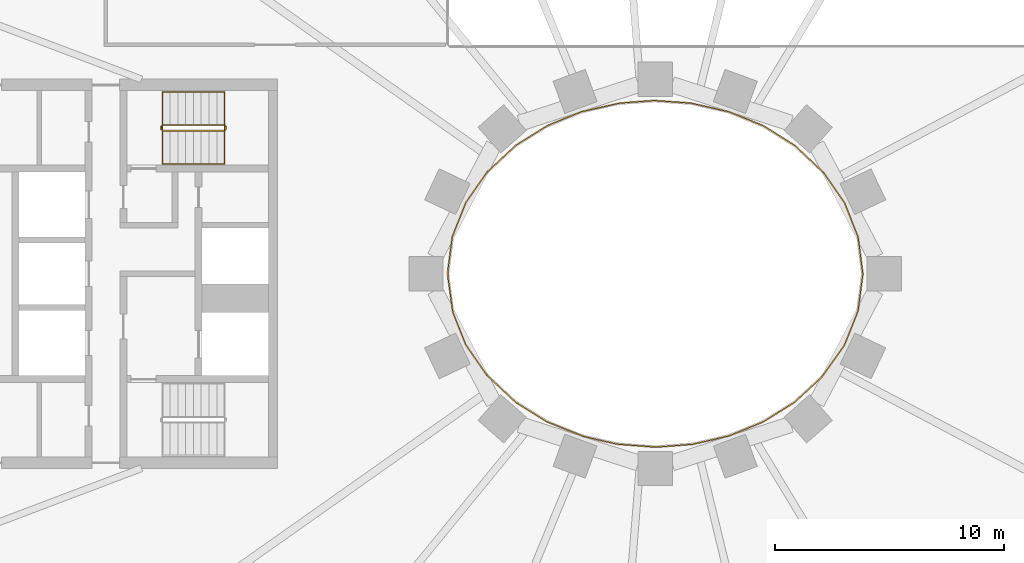
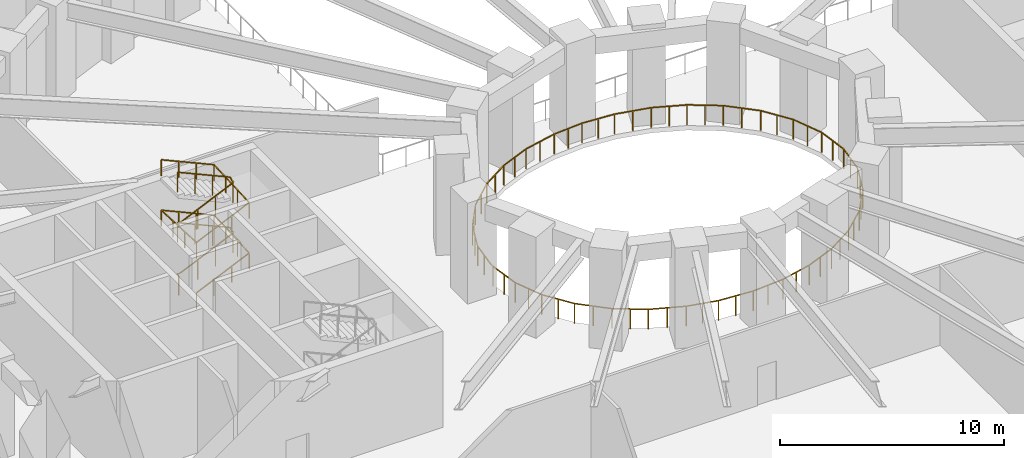
# One storey, part 60 of 69: 3 railings.
"""IFC4 building model written with IfcOpenShell, lengths in metres."""

from ifc_helpers import new_model, si_unit, direction, frame, origin, origin_2d, place, context, subcontext, project, spatial, rectangle, extrude, material, type_object, element, save


model = new_model("IFC4")

# Units and contexts
model_context = context("Model", 3, precision=1e-05, world=origin(), true_north=direction((0.0, 1.0)))
body_context = subcontext(model_context, "Body", "Model", "MODEL_VIEW")
ifc_project = project(units=[si_unit("LENGTHUNIT", "METRE"), si_unit("AREAUNIT", "SQUARE_METRE"), si_unit("VOLUMEUNIT", "CUBIC_METRE"), si_unit("PLANEANGLEUNIT", "RADIAN"), si_unit("MASSUNIT", "GRAM", prefix="KILO")], contexts=[model_context])

# Site, building, storey
site_placement = place(None, origin())
site = spatial("IfcSite", under=ifc_project, at=site_placement, CompositionType="ELEMENT")
building_placement = place(site_placement, origin())
building = spatial("IfcBuilding", under=site, at=building_placement, Name="Noorbagh Ring Tower", CompositionType="ELEMENT")
storey_placement = place(building_placement, frame((0.0, 0.0, 19.5)))
storey = spatial("IfcBuildingStorey", under=building, at=storey_placement, Name="L03", CompositionType="ELEMENT", Elevation=19.5)

# Railings
ifc_material_1 = material(Name="Stainless steel", Category="steel")
railing_type_1 = type_object("IfcRailingType", Name="CORE-STAIR-GUARD", PredefinedType="GUARDRAIL", material=ifc_material_1)
railing_1_placement = place(storey_placement, frame((-21.580078125, 6.300048828125, 0.0)))
element("IfcRailing", 1, at=railing_1_placement, inside=storey, type_object=railing_type_1, Name="L03 ST1 stair guard", PredefinedType="GUARDRAIL", context=body_context, shape_type="SweptSolid", body=[
    extrude(rectangle(XDim=0.048095703125, YDim=0.048095703125, at=origin_2d()), frame((0.0, 0.0, 1.076171875), z_axis=(0.0, 1.0, 0.0), x_axis=(-1.0, 0.0, 0.0)), (0.0, 0.0, 1.0), 0.14990234375),
    extrude(rectangle(XDim=0.048095703125, YDim=0.048095703125, at=origin_2d()), frame((0.0, 0.14990234375, 1.076171875), z_axis=(0.195046945594, -0.779236333862, 0.595606770449), x_axis=(0.970072785993, 0.242814311512, 0.0)), (0.0, 0.0, 1.0), 0.256591796875),
    extrude(rectangle(XDim=0.048095703125, YDim=0.048095703125, at=origin_2d()), frame((0.050048828125, -0.050048828125, 1.22900390625), z_axis=(0.912149621895, 0.0, 0.409857374312), x_axis=(0.0, 1.0, 0.0)), (0.0, 0.0, 1.0), 2.98193359375),
    extrude(rectangle(XDim=0.048095703125, YDim=0.048095703125, at=origin_2d()), frame((2.77001953125, -0.050048828125, 2.451171875), z_axis=(0.707106781187, 0.707106781187, 0.0), x_axis=(-0.707106781187, 0.707106781187, 0.0)), (0.0, 0.0, 1.0), 0.07080078125),
    extrude(rectangle(XDim=0.048095703125, YDim=0.048095703125, at=origin_2d()), frame((2.820068359375, 0.0, 2.451171875), z_axis=(0.0, 1.0, 0.0), x_axis=(-1.0, 0.0, 0.0)), (0.0, 0.0, 1.0), 0.14990234375),
    extrude(rectangle(XDim=0.048095703125, YDim=0.048095703125, at=origin_2d()), frame((2.820068359375, 0.14990234375, 2.451171875), z_axis=(-0.297155754911, 0.297155754911, 0.90741220768), x_axis=(-0.707106781187, -0.707106781187, 0.0)), (0.0, 0.0, 1.0), 0.16845703125),
    extrude(rectangle(XDim=0.048095703125, YDim=0.048095703125, at=origin_2d()), frame((2.77001953125, 0.199951171875, 2.60400390625), z_axis=(-0.912149621895, 0.0, 0.409857374312), x_axis=(0.0, -1.0, 0.0)), (0.0, 0.0, 1.0), 2.98193359375),
    extrude(rectangle(XDim=0.048095703125, YDim=0.048095703125, at=origin_2d()), frame((0.050048828125, 0.199951171875, 3.826171875), z_axis=(-0.242814311512, -0.970072785993, 0.0), x_axis=(0.970072785993, -0.242814311512, 0.0)), (0.0, 0.0, 1.0), 0.2060546875),
    extrude(rectangle(XDim=0.048095703125, YDim=0.048095703125, at=origin_2d()), frame((0.0, 0.0, 3.826171875), z_axis=(0.0, 1.0, 0.0), x_axis=(-1.0, 0.0, 0.0)), (0.0, 0.0, 1.0), 0.14990234375),
    extrude(rectangle(XDim=0.048095703125, YDim=0.048095703125, at=origin_2d()), frame((0.0, 0.14990234375, 3.826171875), z_axis=(0.195046945594, -0.779236333862, 0.595606770449), x_axis=(0.970072785993, 0.242814311512, 0.0)), (0.0, 0.0, 1.0), 0.256591796875),
    extrude(rectangle(XDim=0.048095703125, YDim=0.048095703125, at=origin_2d()), frame((0.050048828125, -0.050048828125, 3.97900390625), z_axis=(0.912149621895, 0.0, 0.409857374312), x_axis=(0.0, 1.0, 0.0)), (0.0, 0.0, 1.0), 2.98193359375),
    extrude(rectangle(XDim=0.048095703125, YDim=0.048095703125, at=origin_2d()), frame((2.77001953125, -0.050048828125, 5.201171875), z_axis=(0.707106781187, 0.707106781187, 0.0), x_axis=(-0.707106781187, 0.707106781187, 0.0)), (0.0, 0.0, 1.0), 0.07080078125),
    extrude(rectangle(XDim=0.048095703125, YDim=0.048095703125, at=origin_2d()), frame((2.820068359375, 0.0, 5.201171875), z_axis=(0.0, 1.0, 0.0), x_axis=(-1.0, 0.0, 0.0)), (0.0, 0.0, 1.0), 0.14990234375),
    extrude(rectangle(XDim=0.048095703125, YDim=0.048095703125, at=origin_2d()), frame((2.820068359375, 0.14990234375, 5.201171875), z_axis=(-0.297155754911, 0.297155754911, 0.90741220768), x_axis=(-0.707106781187, -0.707106781187, 0.0)), (0.0, 0.0, 1.0), 0.16845703125),
    extrude(rectangle(XDim=0.048095703125, YDim=0.048095703125, at=origin_2d()), frame((2.77001953125, 0.199951171875, 5.35400390625), z_axis=(-0.912149621895, 0.0, 0.409857374312), x_axis=(0.0, -1.0, 0.0)), (0.0, 0.0, 1.0), 2.98193359375),
    extrude(rectangle(XDim=0.0419921875, YDim=0.0419921875, at=origin_2d()), origin(), (0.0, 0.0, 1.0), 1.052001953125),
    extrude(rectangle(XDim=0.0419921875, YDim=0.0419921875, at=origin_2d()), frame((0.956787109375, -0.050048828125, 0.560302734375)), (0.0, 0.0, 1.0), 1.052001953125),
    extrude(rectangle(XDim=0.0419921875, YDim=0.0419921875, at=origin_2d()), frame((1.86328125, -0.050048828125, 0.967529296875)), (0.0, 0.0, 1.0), 1.052001953125),
    extrude(rectangle(XDim=0.0419921875, YDim=0.0419921875, at=origin_2d()), frame((2.77001953125, -0.050048828125, 1.375)), (0.0, 0.0, 1.0), 1.052001953125),
    extrude(rectangle(XDim=0.0419921875, YDim=0.0419921875, at=origin_2d()), frame((1.86328125, 0.199951171875, 1.935302734375)), (0.0, 0.0, 1.0), 1.052001953125),
    extrude(rectangle(XDim=0.0419921875, YDim=0.0419921875, at=origin_2d()), frame((0.956787109375, 0.199951171875, 2.342529296875)), (0.0, 0.0, 1.0), 1.052001953125),
    extrude(rectangle(XDim=0.0419921875, YDim=0.0419921875, at=origin_2d()), frame((0.050048828125, 0.199951171875, 2.75)), (0.0, 0.0, 1.0), 1.052001953125),
    extrude(rectangle(XDim=0.0419921875, YDim=0.0419921875, at=origin_2d()), frame((0.956787109375, -0.050048828125, 3.310302734375)), (0.0, 0.0, 1.0), 1.052001953125),
    extrude(rectangle(XDim=0.0419921875, YDim=0.0419921875, at=origin_2d()), frame((1.86328125, -0.050048828125, 3.717529296875)), (0.0, 0.0, 1.0), 1.052001953125),
    extrude(rectangle(XDim=0.0419921875, YDim=0.0419921875, at=origin_2d()), frame((2.77001953125, -0.050048828125, 4.125)), (0.0, 0.0, 1.0), 1.052001953125),
    extrude(rectangle(XDim=0.0419921875, YDim=0.0419921875, at=origin_2d()), frame((1.86328125, 0.199951171875, 4.685302734375)), (0.0, 0.0, 1.0), 1.052001953125),
    extrude(rectangle(XDim=0.0419921875, YDim=0.0419921875, at=origin_2d()), frame((0.956787109375, 0.199951171875, 5.092529296875)), (0.0, 0.0, 1.0), 1.052001953125),
    extrude(rectangle(XDim=0.0419921875, YDim=0.0419921875, at=origin_2d()), frame((0.050048828125, 0.199951171875, 5.5)), (0.0, 0.0, 1.0), 1.052001953125),
])
ifc_material_2 = material(Name="Stainless steel", Category="steel")
railing_type_2 = type_object("IfcRailingType", Name="CORE-STAIR-HANDRAIL", PredefinedType="HANDRAIL", material=ifc_material_2)
railing_2_placement = place(storey_placement, frame((-21.530029296875, 4.800048828125, 0.15283203125)))
element("IfcRailing", 2, at=railing_2_placement, inside=storey, type_object=railing_type_2, Name="L03 ST1 stair handrail", PredefinedType="HANDRAIL", context=body_context, shape_type="SweptSolid", body=[
    extrude(rectangle(XDim=0.048095703125, YDim=0.048095703125, at=origin_2d()), frame((0.0, 0.0, 0.8759765625), z_axis=(0.912149621895, 0.0, 0.409857374312), x_axis=(0.0, 1.0, 0.0)), (0.0, 0.0, 1.0), 2.98193359375),
    extrude(rectangle(XDim=0.048095703125, YDim=0.048095703125, at=origin_2d()), frame((2.719970703125, 0.0, 2.09814453125), z_axis=(0.0, 0.998824997948, 0.048462598722), x_axis=(-1.0, 0.0, 0.0)), (0.0, 0.0, 1.0), 3.153564453125),
    extrude(rectangle(XDim=0.048095703125, YDim=0.048095703125, at=origin_2d()), frame((2.719970703125, 3.14990234375, 2.2509765625), z_axis=(-0.912149621895, 0.0, 0.409857374312), x_axis=(0.0, -1.0, 0.0)), (0.0, 0.0, 1.0), 2.98193359375),
    extrude(rectangle(XDim=0.048095703125, YDim=0.048095703125, at=origin_2d()), frame((0.0, 3.14990234375, 3.47314453125), z_axis=(0.0, -0.998824997948, 0.048462598722), x_axis=(1.0, 0.0, 0.0)), (0.0, 0.0, 1.0), 3.153564453125),
    extrude(rectangle(XDim=0.048095703125, YDim=0.048095703125, at=origin_2d()), frame((0.0, 0.0, 3.6259765625), z_axis=(0.912149621895, 0.0, 0.409857374312), x_axis=(0.0, 1.0, 0.0)), (0.0, 0.0, 1.0), 2.98193359375),
    extrude(rectangle(XDim=0.048095703125, YDim=0.048095703125, at=origin_2d()), frame((2.719970703125, 0.0, 4.84814453125), z_axis=(0.0, 0.998824997948, 0.048462598722), x_axis=(-1.0, 0.0, 0.0)), (0.0, 0.0, 1.0), 3.153564453125),
    extrude(rectangle(XDim=0.048095703125, YDim=0.048095703125, at=origin_2d()), frame((2.719970703125, 3.14990234375, 5.0009765625), z_axis=(-0.912149621895, 0.0, 0.409857374312), x_axis=(0.0, -1.0, 0.0)), (0.0, 0.0, 1.0), 2.98193359375),
    extrude(rectangle(XDim=0.0419921875, YDim=0.0419921875, at=origin_2d()), origin(), (0.0, 0.0, 1.0), 0.851806640625),
    extrude(rectangle(XDim=0.0419921875, YDim=0.0419921875, at=origin_2d()), frame((0.90673828125, 0.0, 0.407470703125)), (0.0, 0.0, 1.0), 0.851806640625),
    extrude(rectangle(XDim=0.0419921875, YDim=0.0419921875, at=origin_2d()), frame((1.813232421875, 0.0, 0.814697265625)), (0.0, 0.0, 1.0), 0.851806640625),
    extrude(rectangle(XDim=0.0419921875, YDim=0.0419921875, at=origin_2d()), frame((2.719970703125, 0.0, 1.22216796875)), (0.0, 0.0, 1.0), 0.851806640625),
    extrude(rectangle(XDim=0.0419921875, YDim=0.0419921875, at=origin_2d()), frame((2.719970703125, 1.050048828125, 1.273193359375)), (0.0, 0.0, 1.0), 0.851806640625),
    extrude(rectangle(XDim=0.0419921875, YDim=0.0419921875, at=origin_2d()), frame((2.719970703125, 2.099853515625, 1.323974609375)), (0.0, 0.0, 1.0), 0.851806640625),
    extrude(rectangle(XDim=0.0419921875, YDim=0.0419921875, at=origin_2d()), frame((2.719970703125, 3.14990234375, 1.375)), (0.0, 0.0, 1.0), 0.851806640625),
    extrude(rectangle(XDim=0.0419921875, YDim=0.0419921875, at=origin_2d()), frame((1.813232421875, 3.14990234375, 1.782470703125)), (0.0, 0.0, 1.0), 0.851806640625),
    extrude(rectangle(XDim=0.0419921875, YDim=0.0419921875, at=origin_2d()), frame((0.90673828125, 3.14990234375, 2.189697265625)), (0.0, 0.0, 1.0), 0.851806640625),
    extrude(rectangle(XDim=0.0419921875, YDim=0.0419921875, at=origin_2d()), frame((0.0, 3.14990234375, 2.59716796875)), (0.0, 0.0, 1.0), 0.851806640625),
    extrude(rectangle(XDim=0.0419921875, YDim=0.0419921875, at=origin_2d()), frame((0.0, 2.099853515625, 2.648193359375)), (0.0, 0.0, 1.0), 0.851806640625),
    extrude(rectangle(XDim=0.0419921875, YDim=0.0419921875, at=origin_2d()), frame((0.0, 1.050048828125, 2.698974609375)), (0.0, 0.0, 1.0), 0.851806640625),
    extrude(rectangle(XDim=0.0419921875, YDim=0.0419921875, at=origin_2d()), frame((0.0, 0.0, 2.75)), (0.0, 0.0, 1.0), 0.851806640625),
    extrude(rectangle(XDim=0.0419921875, YDim=0.0419921875, at=origin_2d()), frame((0.90673828125, 0.0, 3.157470703125)), (0.0, 0.0, 1.0), 0.851806640625),
    extrude(rectangle(XDim=0.0419921875, YDim=0.0419921875, at=origin_2d()), frame((1.813232421875, 0.0, 3.564697265625)), (0.0, 0.0, 1.0), 0.851806640625),
    extrude(rectangle(XDim=0.0419921875, YDim=0.0419921875, at=origin_2d()), frame((2.719970703125, 0.0, 3.97216796875)), (0.0, 0.0, 1.0), 0.851806640625),
    extrude(rectangle(XDim=0.0419921875, YDim=0.0419921875, at=origin_2d()), frame((2.719970703125, 1.050048828125, 4.023193359375)), (0.0, 0.0, 1.0), 0.851806640625),
    extrude(rectangle(XDim=0.0419921875, YDim=0.0419921875, at=origin_2d()), frame((2.719970703125, 2.099853515625, 4.073974609375)), (0.0, 0.0, 1.0), 0.851806640625),
    extrude(rectangle(XDim=0.0419921875, YDim=0.0419921875, at=origin_2d()), frame((2.719970703125, 3.14990234375, 4.125)), (0.0, 0.0, 1.0), 0.851806640625),
    extrude(rectangle(XDim=0.0419921875, YDim=0.0419921875, at=origin_2d()), frame((1.813232421875, 3.14990234375, 4.532470703125)), (0.0, 0.0, 1.0), 0.851806640625),
    extrude(rectangle(XDim=0.0419921875, YDim=0.0419921875, at=origin_2d()), frame((0.90673828125, 3.14990234375, 4.939697265625)), (0.0, 0.0, 1.0), 0.851806640625),
    extrude(rectangle(XDim=0.0419921875, YDim=0.0419921875, at=origin_2d()), frame((0.0, 3.14990234375, 5.34716796875)), (0.0, 0.0, 1.0), 0.851806640625),
])
ifc_material_3 = material(Name="Stainless steel", Category="steel")
railing_type_3 = type_object("IfcRailingType", Name="DECK-GUARD", PredefinedType="GUARDRAIL", material=ifc_material_3)
railing_3_placement = place(storey_placement, frame((3.219482421875, -7.08251953125, 0.0)))
element("IfcRailing", 3, at=railing_3_placement, inside=storey, type_object=railing_type_3, Name="Court edge guard 3", PredefinedType="GUARDRAIL", context=body_context, shape_type="SweptSolid", body=[
    extrude(rectangle(XDim=0.048095703125, YDim=0.048095703125, at=origin_2d()), frame((0.0, 0.0, 1.076171875), z_axis=(-0.974042974941, -0.226363166102, 0.0), x_axis=(0.226363166102, -0.974042974941, 0.0)), (0.0, 0.0, 1.0), 1.6123046875),
    extrude(rectangle(XDim=0.048095703125, YDim=0.048095703125, at=origin_2d()), frame((-1.570556640625, -0.364990234375, 1.076171875), z_axis=(-0.997011560929, -0.077252491047, 0.0), x_axis=(0.077252491047, -0.997011560929, 0.0)), (0.0, 0.0, 1.0), 1.61181640625),
    extrude(rectangle(XDim=0.048095703125, YDim=0.048095703125, at=origin_2d()), frame((-3.177490234375, -0.489501953125, 1.076171875), z_axis=(-0.997156464926, 0.07535903699, 0.0), x_axis=(-0.07535903699, -0.997156464926, 0.0)), (0.0, 0.0, 1.0), 1.717041015625),
    extrude(rectangle(XDim=0.048095703125, YDim=0.048095703125, at=origin_2d()), frame((-4.8896484375, -0.360107421875, 1.076171875), z_axis=(-0.974059567767, 0.226291755134, 0.0), x_axis=(-0.226291755134, -0.974059567767, 0.0)), (0.0, 0.0, 1.0), 1.506103515625),
    extrude(rectangle(XDim=0.048095703125, YDim=0.048095703125, at=origin_2d()), frame((-6.356689453125, -0.019287109375, 1.076171875), z_axis=(-0.928457090106, 0.371439674554, 0.0), x_axis=(-0.371439674554, -0.928457090106, 0.0)), (0.0, 0.0, 1.0), 1.718017578125),
    extrude(rectangle(XDim=0.048095703125, YDim=0.048095703125, at=origin_2d()), frame((-7.951904296875, 0.618896484375, 1.076171875), z_axis=(-0.847402896005, 0.530950404316, 0.0), x_axis=(-0.530950404316, -0.847402896005, 0.0)), (0.0, 0.0, 1.0), 1.614013671875),
    extrude(rectangle(XDim=0.048095703125, YDim=0.048095703125, at=origin_2d()), frame((-9.319580078125, 1.475830078125, 1.076171875), z_axis=(-0.728749402558, 0.684780481812, 0.0), x_axis=(-0.684780481812, -0.728749402558, 0.0)), (0.0, 0.0, 1.0), 1.72119140625),
    extrude(rectangle(XDim=0.048095703125, YDim=0.048095703125, at=origin_2d()), frame((-10.573974609375, 2.654541015625, 1.076171875), z_axis=(-0.569429934575, 0.822039871059, 0.0), x_axis=(-0.822039871059, -0.569429934575, 0.0)), (0.0, 0.0, 1.0), 1.615966796875),
    extrude(rectangle(XDim=0.048095703125, YDim=0.048095703125, at=origin_2d()), frame((-11.494140625, 3.98291015625, 1.076171875), z_axis=(-0.371251219374, 0.928532461529, 0.0), x_axis=(-0.928532461529, -0.371251219374, 0.0)), (0.0, 0.0, 1.0), 1.50927734375),
    extrude(rectangle(XDim=0.048095703125, YDim=0.048095703125, at=origin_2d()), frame((-12.054443359375, 5.38427734375, 1.076171875), z_axis=(-0.141061895831, 0.990000778558, 0.0), x_axis=(-0.990000778558, -0.141061895831, 0.0)), (0.0, 0.0, 1.0), 1.616455078125),
    extrude(rectangle(XDim=0.048095703125, YDim=0.048095703125, at=origin_2d()), frame((-12.282470703125, 6.984619140625, 1.076171875), z_axis=(0.012372506225, 0.999923457615, 0.0), x_axis=(-0.999923457615, 0.012372506225, 0.0)), (0.0, 0.0, 1.0), 0.217041015625),
    extrude(rectangle(XDim=0.048095703125, YDim=0.048095703125, at=origin_2d()), frame((-12.27978515625, 7.20166015625, 1.076171875), z_axis=(0.129304634656, 0.991604917019, 0.0), x_axis=(-0.991604917019, 0.129304634656, 0.0)), (0.0, 0.0, 1.0), 1.510498046875),
    extrude(rectangle(XDim=0.048095703125, YDim=0.048095703125, at=origin_2d()), frame((-12.08447265625, 8.699462890625, 1.076171875), z_axis=(0.369985401443, 0.92903756798, 0.0), x_axis=(-0.92903756798, 0.369985401443, 0.0)), (0.0, 0.0, 1.0), 1.617919921875),
    extrude(rectangle(XDim=0.048095703125, YDim=0.048095703125, at=origin_2d()), frame((-11.48583984375, 10.20263671875, 1.076171875), z_axis=(0.571971314312, 0.8202736224, 0.0), x_axis=(-0.8202736224, 0.571971314312, 0.0)), (0.0, 0.0, 1.0), 1.616455078125),
    extrude(rectangle(XDim=0.048095703125, YDim=0.048095703125, at=origin_2d()), frame((-10.561279296875, 11.528564453125, 1.076171875), z_axis=(0.732176868111, 0.681114552629, 0.0), x_axis=(-0.681114552629, 0.732176868111, 0.0)), (0.0, 0.0, 1.0), 1.72119140625),
    extrude(rectangle(XDim=0.048095703125, YDim=0.048095703125, at=origin_2d()), frame((-9.301025390625, 12.700927734375, 1.076171875), z_axis=(0.848541890266, 0.529128207964, 0.0), x_axis=(-0.529128207964, 0.848541890266, 0.0)), (0.0, 0.0, 1.0), 1.613525390625),
    extrude(rectangle(XDim=0.048095703125, YDim=0.048095703125, at=origin_2d()), frame((-7.931884765625, 13.5546875, 1.076171875), z_axis=(0.925631325684, 0.378426543616, 0.0), x_axis=(-0.378426543616, 0.925631325684, 0.0)), (0.0, 0.0, 1.0), 1.61279296875),
    extrude(rectangle(XDim=0.048095703125, YDim=0.048095703125, at=origin_2d()), frame((-6.43896484375, 14.1650390625, 1.076171875), z_axis=(0.97571315199, 0.219052151401, 0.0), x_axis=(-0.219052151401, 0.97571315199, 0.0)), (0.0, 0.0, 1.0), 1.717529296875),
    extrude(rectangle(XDim=0.048095703125, YDim=0.048095703125, at=origin_2d()), frame((-4.76318359375, 14.541259765625, 1.076171875), z_axis=(0.997166874332, 0.075221172117, 0.0), x_axis=(-0.075221172117, 0.997166874332, 0.0)), (0.0, 0.0, 1.0), 1.505859375),
    extrude(rectangle(XDim=0.048095703125, YDim=0.048095703125, at=origin_2d()), frame((-3.261474609375, 14.654541015625, 1.076171875), z_axis=(0.997451003858, -0.071354711849, 0.0), x_axis=(0.071354711849, 0.997451003858, 0.0)), (0.0, 0.0, 1.0), 1.611572265625),
    extrude(rectangle(XDim=0.048095703125, YDim=0.048095703125, at=origin_2d()), frame((-1.654052734375, 14.53955078125, 1.076171875), z_axis=(0.974837326053, -0.222917446004, 0.0), x_axis=(0.222917446004, 0.974837326053, 0.0)), (0.0, 0.0, 1.0), 1.71728515625),
    extrude(rectangle(XDim=0.048095703125, YDim=0.048095703125, at=origin_2d()), frame((0.02001953125, 14.15673828125, 1.076171875), z_axis=(0.925578297012, -0.37855622581, 0.0), x_axis=(0.37855622581, 0.925578297012, 0.0)), (0.0, 0.0, 1.0), 1.613037109375),
    extrude(rectangle(XDim=0.048095703125, YDim=0.048095703125, at=origin_2d()), frame((1.512939453125, 13.546142578125, 1.076171875), z_axis=(0.847402896005, -0.530950404316, 0.0), x_axis=(0.530950404316, 0.847402896005, 0.0)), (0.0, 0.0, 1.0), 1.614013671875),
    extrude(rectangle(XDim=0.048095703125, YDim=0.048095703125, at=origin_2d()), frame((2.880615234375, 12.689208984375, 1.076171875), z_axis=(0.728749402558, -0.684780481812, 0.0), x_axis=(0.684780481812, 0.728749402558, 0.0)), (0.0, 0.0, 1.0), 1.72119140625),
    extrude(rectangle(XDim=0.048095703125, YDim=0.048095703125, at=origin_2d()), frame((4.135009765625, 11.510498046875, 1.076171875), z_axis=(0.569429934575, -0.822039871059, 0.0), x_axis=(0.822039871059, 0.569429934575, 0.0)), (0.0, 0.0, 1.0), 1.615966796875),
    extrude(rectangle(XDim=0.048095703125, YDim=0.048095703125, at=origin_2d()), frame((5.05517578125, 10.18212890625, 1.076171875), z_axis=(0.366833251522, -0.930286711491, 0.0), x_axis=(0.930286711491, 0.366833251522, 0.0)), (0.0, 0.0, 1.0), 1.617919921875),
    extrude(rectangle(XDim=0.048095703125, YDim=0.048095703125, at=origin_2d()), frame((5.648681640625, 8.677001953125, 1.076171875), z_axis=(0.126985502592, -0.991904573097, 0.0), x_axis=(0.991904573097, 0.126985502592, 0.0)), (0.0, 0.0, 1.0), 1.618896484375),
    extrude(rectangle(XDim=0.048095703125, YDim=0.048095703125, at=origin_2d()), frame((5.854248046875, 7.0712890625, 1.076171875), z_axis=(-0.128913747549, -0.991655810094, 0.0), x_axis=(0.991655810094, -0.128913747549, 0.0)), (0.0, 0.0, 1.0), 1.619140625),
    extrude(rectangle(XDim=0.048095703125, YDim=0.048095703125, at=origin_2d()), frame((5.6455078125, 5.465576171875, 1.076171875), z_axis=(-0.369985401443, -0.92903756798, 0.0), x_axis=(0.92903756798, -0.369985401443, 0.0)), (0.0, 0.0, 1.0), 1.617919921875),
    extrude(rectangle(XDim=0.048095703125, YDim=0.048095703125, at=origin_2d()), frame((5.046875, 3.96240234375, 1.076171875), z_axis=(-0.578339639205, -0.815796090775, 0.0), x_axis=(0.815796090775, -0.578339639205, 0.0)), (0.0, 0.0, 1.0), 1.72314453125),
    extrude(rectangle(XDim=0.048095703125, YDim=0.048095703125, at=origin_2d()), frame((4.05029296875, 2.556640625, 1.076171875), z_axis=(-0.736129936929, -0.676840244043, 0.0), x_axis=(0.676840244043, -0.736129936929, 0.0)), (0.0, 0.0, 1.0), 1.6142578125),
    extrude(rectangle(XDim=0.048095703125, YDim=0.048095703125, at=origin_2d()), frame((2.862060546875, 1.464111328125, 1.076171875), z_axis=(-0.848541890266, -0.529128207964, 0.0), x_axis=(0.529128207964, -0.848541890266, 0.0)), (0.0, 0.0, 1.0), 1.613525390625),
    extrude(rectangle(XDim=0.048095703125, YDim=0.048095703125, at=origin_2d()), frame((1.492919921875, 0.6103515625, 1.076171875), z_axis=(-0.925631325684, -0.378426543616, 0.0), x_axis=(0.378426543616, -0.925631325684, 0.0)), (0.0, 0.0, 1.0), 1.61279296875),
    extrude(rectangle(XDim=0.0419921875, YDim=0.0419921875, at=origin_2d()), origin(), (0.0, 0.0, 1.0), 1.052001953125),
    extrude(rectangle(XDim=0.0419921875, YDim=0.0419921875, at=origin_2d()), frame((-0.78515625, -0.1826171875, 0.0)), (0.0, 0.0, 1.0), 1.052001953125),
    extrude(rectangle(XDim=0.0419921875, YDim=0.0419921875, at=origin_2d()), frame((-1.570556640625, -0.364990234375, 0.0)), (0.0, 0.0, 1.0), 1.052001953125),
    extrude(rectangle(XDim=0.0419921875, YDim=0.0419921875, at=origin_2d()), frame((-2.3740234375, -0.42724609375, 0.0)), (0.0, 0.0, 1.0), 1.052001953125),
    extrude(rectangle(XDim=0.0419921875, YDim=0.0419921875, at=origin_2d()), frame((-3.177490234375, -0.489501953125, 0.0)), (0.0, 0.0, 1.0), 1.052001953125),
    extrude(rectangle(XDim=0.0419921875, YDim=0.0419921875, at=origin_2d()), frame((-4.03369140625, -0.4248046875, 0.0)), (0.0, 0.0, 1.0), 1.052001953125),
    extrude(rectangle(XDim=0.0419921875, YDim=0.0419921875, at=origin_2d()), frame((-4.8896484375, -0.360107421875, 0.0)), (0.0, 0.0, 1.0), 1.052001953125),
    extrude(rectangle(XDim=0.0419921875, YDim=0.0419921875, at=origin_2d()), frame((-5.623046875, -0.189697265625, 0.0)), (0.0, 0.0, 1.0), 1.052001953125),
    extrude(rectangle(XDim=0.0419921875, YDim=0.0419921875, at=origin_2d()), frame((-6.356689453125, -0.019287109375, 0.0)), (0.0, 0.0, 1.0), 1.052001953125),
    extrude(rectangle(XDim=0.0419921875, YDim=0.0419921875, at=origin_2d()), frame((-7.154296875, 0.2998046875, 0.0)), (0.0, 0.0, 1.0), 1.052001953125),
    extrude(rectangle(XDim=0.0419921875, YDim=0.0419921875, at=origin_2d()), frame((-7.951904296875, 0.618896484375, 0.0)), (0.0, 0.0, 1.0), 1.052001953125),
    extrude(rectangle(XDim=0.0419921875, YDim=0.0419921875, at=origin_2d()), frame((-8.6357421875, 1.04736328125, 0.0)), (0.0, 0.0, 1.0), 1.052001953125),
    extrude(rectangle(XDim=0.0419921875, YDim=0.0419921875, at=origin_2d()), frame((-9.319580078125, 1.475830078125, 0.0)), (0.0, 0.0, 1.0), 1.052001953125),
    extrude(rectangle(XDim=0.0419921875, YDim=0.0419921875, at=origin_2d()), frame((-9.94677734375, 2.065185546875, 0.0)), (0.0, 0.0, 1.0), 1.052001953125),
    extrude(rectangle(XDim=0.0419921875, YDim=0.0419921875, at=origin_2d()), frame((-10.573974609375, 2.654541015625, 0.0)), (0.0, 0.0, 1.0), 1.052001953125),
    extrude(rectangle(XDim=0.0419921875, YDim=0.0419921875, at=origin_2d()), frame((-11.0341796875, 3.31884765625, 0.0)), (0.0, 0.0, 1.0), 1.052001953125),
    extrude(rectangle(XDim=0.0419921875, YDim=0.0419921875, at=origin_2d()), frame((-11.494140625, 3.98291015625, 0.0)), (0.0, 0.0, 1.0), 1.052001953125),
    extrude(rectangle(XDim=0.0419921875, YDim=0.0419921875, at=origin_2d()), frame((-11.7744140625, 4.68359375, 0.0)), (0.0, 0.0, 1.0), 1.052001953125),
    extrude(rectangle(XDim=0.0419921875, YDim=0.0419921875, at=origin_2d()), frame((-12.054443359375, 5.38427734375, 0.0)), (0.0, 0.0, 1.0), 1.052001953125),
    extrude(rectangle(XDim=0.0419921875, YDim=0.0419921875, at=origin_2d()), frame((-12.16845703125, 6.1845703125, 0.0)), (0.0, 0.0, 1.0), 1.052001953125),
    extrude(rectangle(XDim=0.0419921875, YDim=0.0419921875, at=origin_2d()), frame((-12.282470703125, 6.984619140625, 0.0)), (0.0, 0.0, 1.0), 1.052001953125),
    extrude(rectangle(XDim=0.0419921875, YDim=0.0419921875, at=origin_2d()), frame((-12.18212890625, 7.95068359375, 0.0)), (0.0, 0.0, 1.0), 1.052001953125),
    extrude(rectangle(XDim=0.0419921875, YDim=0.0419921875, at=origin_2d()), frame((-12.08447265625, 8.699462890625, 0.0)), (0.0, 0.0, 1.0), 1.052001953125),
    extrude(rectangle(XDim=0.0419921875, YDim=0.0419921875, at=origin_2d()), frame((-11.78515625, 9.451171875, 0.0)), (0.0, 0.0, 1.0), 1.052001953125),
    extrude(rectangle(XDim=0.0419921875, YDim=0.0419921875, at=origin_2d()), frame((-11.48583984375, 10.20263671875, 0.0)), (0.0, 0.0, 1.0), 1.052001953125),
    extrude(rectangle(XDim=0.0419921875, YDim=0.0419921875, at=origin_2d()), frame((-11.0234375, 10.86572265625, 0.0)), (0.0, 0.0, 1.0), 1.052001953125),
    extrude(rectangle(XDim=0.0419921875, YDim=0.0419921875, at=origin_2d()), frame((-10.561279296875, 11.528564453125, 0.0)), (0.0, 0.0, 1.0), 1.052001953125),
    extrude(rectangle(XDim=0.0419921875, YDim=0.0419921875, at=origin_2d()), frame((-9.93115234375, 12.11474609375, 0.0)), (0.0, 0.0, 1.0), 1.052001953125),
    extrude(rectangle(XDim=0.0419921875, YDim=0.0419921875, at=origin_2d()), frame((-9.301025390625, 12.700927734375, 0.0)), (0.0, 0.0, 1.0), 1.052001953125),
    extrude(rectangle(XDim=0.0419921875, YDim=0.0419921875, at=origin_2d()), frame((-8.616455078125, 13.1279296875, 0.0)), (0.0, 0.0, 1.0), 1.052001953125),
    extrude(rectangle(XDim=0.0419921875, YDim=0.0419921875, at=origin_2d()), frame((-7.931884765625, 13.5546875, 0.0)), (0.0, 0.0, 1.0), 1.052001953125),
    extrude(rectangle(XDim=0.0419921875, YDim=0.0419921875, at=origin_2d()), frame((-7.185546875, 13.85986328125, 0.0)), (0.0, 0.0, 1.0), 1.052001953125),
    extrude(rectangle(XDim=0.0419921875, YDim=0.0419921875, at=origin_2d()), frame((-6.43896484375, 14.1650390625, 0.0)), (0.0, 0.0, 1.0), 1.052001953125),
    extrude(rectangle(XDim=0.0419921875, YDim=0.0419921875, at=origin_2d()), frame((-5.60107421875, 14.35302734375, 0.0)), (0.0, 0.0, 1.0), 1.052001953125),
    extrude(rectangle(XDim=0.0419921875, YDim=0.0419921875, at=origin_2d()), frame((-4.76318359375, 14.541259765625, 0.0)), (0.0, 0.0, 1.0), 1.052001953125),
    extrude(rectangle(XDim=0.0419921875, YDim=0.0419921875, at=origin_2d()), frame((-4.01220703125, 14.597900390625, 0.0)), (0.0, 0.0, 1.0), 1.052001953125),
    extrude(rectangle(XDim=0.0419921875, YDim=0.0419921875, at=origin_2d()), frame((-3.261474609375, 14.654541015625, 0.0)), (0.0, 0.0, 1.0), 1.052001953125),
    extrude(rectangle(XDim=0.0419921875, YDim=0.0419921875, at=origin_2d()), frame((-2.457763671875, 14.59716796875, 0.0)), (0.0, 0.0, 1.0), 1.052001953125),
    extrude(rectangle(XDim=0.0419921875, YDim=0.0419921875, at=origin_2d()), frame((-1.654052734375, 14.53955078125, 0.0)), (0.0, 0.0, 1.0), 1.052001953125),
    extrude(rectangle(XDim=0.0419921875, YDim=0.0419921875, at=origin_2d()), frame((-0.81689453125, 14.34814453125, 0.0)), (0.0, 0.0, 1.0), 1.052001953125),
    extrude(rectangle(XDim=0.0419921875, YDim=0.0419921875, at=origin_2d()), frame((0.02001953125, 14.15673828125, 0.0)), (0.0, 0.0, 1.0), 1.052001953125),
    extrude(rectangle(XDim=0.0419921875, YDim=0.0419921875, at=origin_2d()), frame((0.7666015625, 13.8515625, 0.0)), (0.0, 0.0, 1.0), 1.052001953125),
    extrude(rectangle(XDim=0.0419921875, YDim=0.0419921875, at=origin_2d()), frame((1.512939453125, 13.546142578125, 0.0)), (0.0, 0.0, 1.0), 1.052001953125),
    extrude(rectangle(XDim=0.0419921875, YDim=0.0419921875, at=origin_2d()), frame((2.19677734375, 13.11767578125, 0.0)), (0.0, 0.0, 1.0), 1.052001953125),
    extrude(rectangle(XDim=0.0419921875, YDim=0.0419921875, at=origin_2d()), frame((2.880615234375, 12.689208984375, 0.0)), (0.0, 0.0, 1.0), 1.052001953125),
    extrude(rectangle(XDim=0.0419921875, YDim=0.0419921875, at=origin_2d()), frame((3.5078125, 12.099853515625, 0.0)), (0.0, 0.0, 1.0), 1.052001953125),
    extrude(rectangle(XDim=0.0419921875, YDim=0.0419921875, at=origin_2d()), frame((4.135009765625, 11.510498046875, 0.0)), (0.0, 0.0, 1.0), 1.052001953125),
    extrude(rectangle(XDim=0.0419921875, YDim=0.0419921875, at=origin_2d()), frame((4.59521484375, 10.84619140625, 0.0)), (0.0, 0.0, 1.0), 1.052001953125),
    extrude(rectangle(XDim=0.0419921875, YDim=0.0419921875, at=origin_2d()), frame((5.05517578125, 10.18212890625, 0.0)), (0.0, 0.0, 1.0), 1.052001953125),
    extrude(rectangle(XDim=0.0419921875, YDim=0.0419921875, at=origin_2d()), frame((5.35205078125, 9.4296875, 0.0)), (0.0, 0.0, 1.0), 1.052001953125),
    extrude(rectangle(XDim=0.0419921875, YDim=0.0419921875, at=origin_2d()), frame((5.648681640625, 8.677001953125, 0.0)), (0.0, 0.0, 1.0), 1.052001953125),
    extrude(rectangle(XDim=0.0419921875, YDim=0.0419921875, at=origin_2d()), frame((5.75146484375, 7.8740234375, 0.0)), (0.0, 0.0, 1.0), 1.052001953125),
    extrude(rectangle(XDim=0.0419921875, YDim=0.0419921875, at=origin_2d()), frame((5.854248046875, 7.0712890625, 0.0)), (0.0, 0.0, 1.0), 1.052001953125),
    extrude(rectangle(XDim=0.0419921875, YDim=0.0419921875, at=origin_2d()), frame((5.75, 6.2685546875, 0.0)), (0.0, 0.0, 1.0), 1.052001953125),
    extrude(rectangle(XDim=0.0419921875, YDim=0.0419921875, at=origin_2d()), frame((5.6455078125, 5.465576171875, 0.0)), (0.0, 0.0, 1.0), 1.052001953125),
    extrude(rectangle(XDim=0.0419921875, YDim=0.0419921875, at=origin_2d()), frame((5.34619140625, 4.7138671875, 0.0)), (0.0, 0.0, 1.0), 1.052001953125),
    extrude(rectangle(XDim=0.0419921875, YDim=0.0419921875, at=origin_2d()), frame((5.046875, 3.96240234375, 0.0)), (0.0, 0.0, 1.0), 1.052001953125),
    extrude(rectangle(XDim=0.0419921875, YDim=0.0419921875, at=origin_2d()), frame((4.548583984375, 3.259521484375, 0.0)), (0.0, 0.0, 1.0), 1.052001953125),
    extrude(rectangle(XDim=0.0419921875, YDim=0.0419921875, at=origin_2d()), frame((4.05029296875, 2.556640625, 0.0)), (0.0, 0.0, 1.0), 1.052001953125),
    extrude(rectangle(XDim=0.0419921875, YDim=0.0419921875, at=origin_2d()), frame((3.4560546875, 2.01025390625, 0.0)), (0.0, 0.0, 1.0), 1.052001953125),
    extrude(rectangle(XDim=0.0419921875, YDim=0.0419921875, at=origin_2d()), frame((2.862060546875, 1.464111328125, 0.0)), (0.0, 0.0, 1.0), 1.052001953125),
    extrude(rectangle(XDim=0.0419921875, YDim=0.0419921875, at=origin_2d()), frame((2.177490234375, 1.037109375, 0.0)), (0.0, 0.0, 1.0), 1.052001953125),
    extrude(rectangle(XDim=0.0419921875, YDim=0.0419921875, at=origin_2d()), frame((1.492919921875, 0.6103515625, 0.0)), (0.0, 0.0, 1.0), 1.052001953125),
    extrude(rectangle(XDim=0.0419921875, YDim=0.0419921875, at=origin_2d()), frame((0.74658203125, 0.30517578125, 0.0)), (0.0, 0.0, 1.0), 1.052001953125),
])

save(model, "model.ifc")
